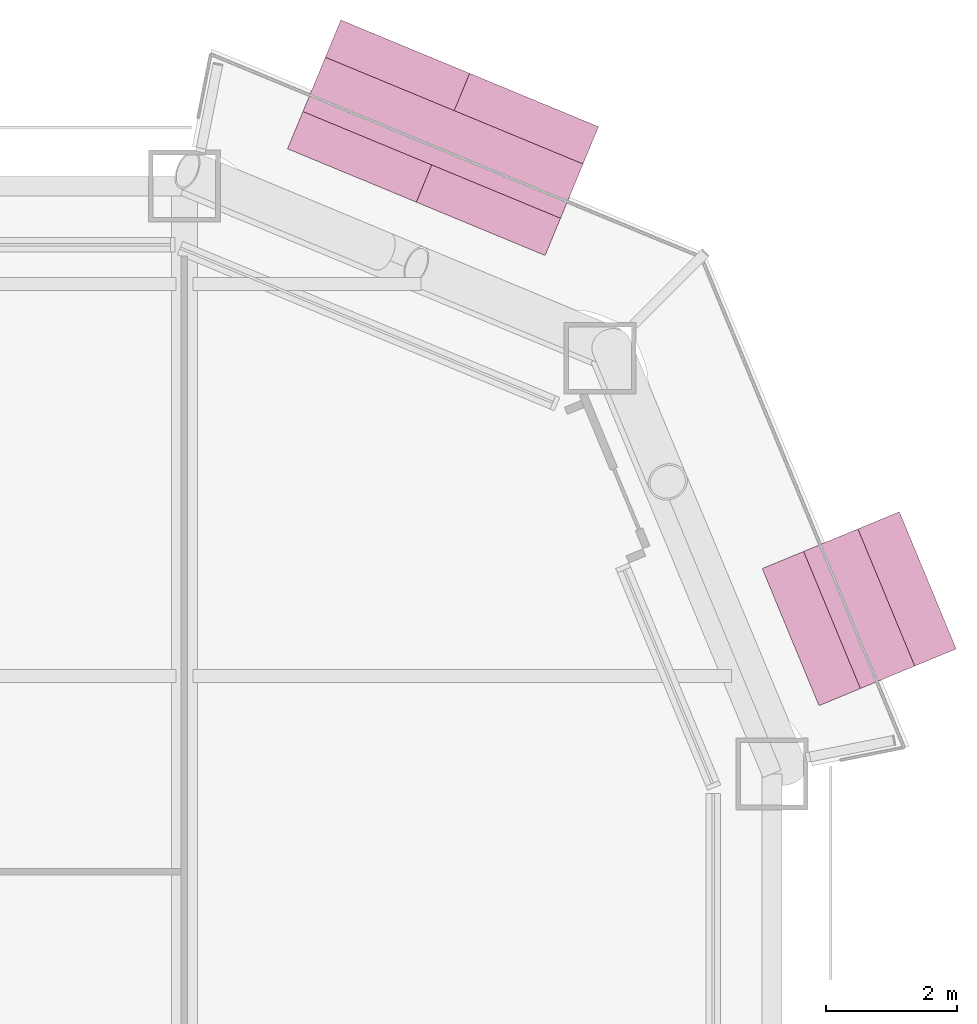
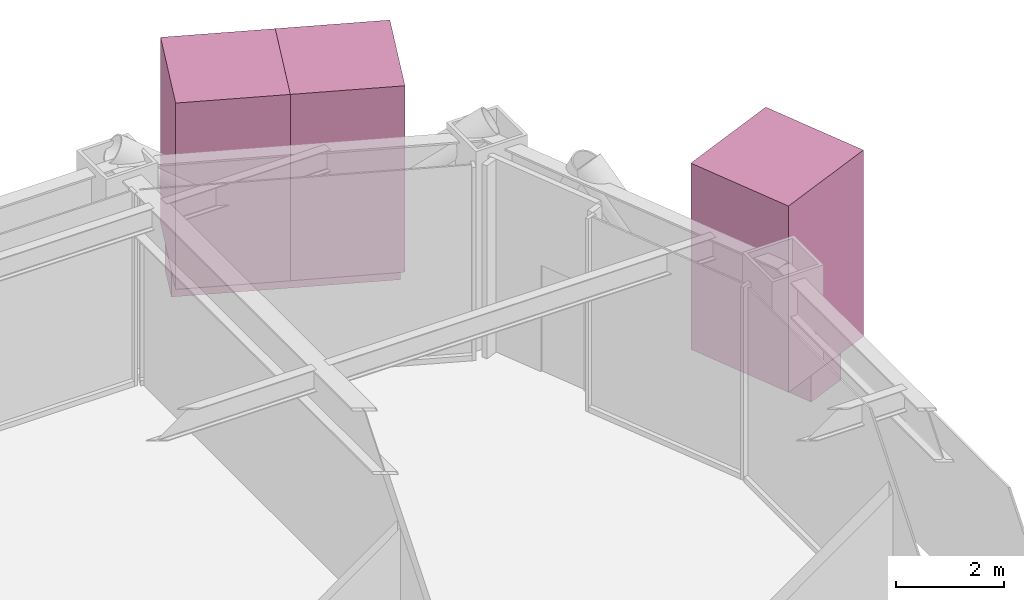
# One storey, part 30 of 30: 5 furnishings.
"""IFC4 building model written with IfcOpenShell, lengths in metres."""

from ifc_helpers import new_model, si_unit, direction, frame, origin, origin_2d, place, context, subcontext, project, spatial, rectangle, extrude, material, type_object, element, save


model = new_model("IFC4")

# Units and contexts
model_context = context("Model", 3, precision=1e-05, world=origin(), true_north=direction((0.0, 1.0)))
body_context = subcontext(model_context, "Body", "Model", "MODEL_VIEW")
ifc_project = project(units=[si_unit("LENGTHUNIT", "METRE"), si_unit("AREAUNIT", "SQUARE_METRE"), si_unit("VOLUMEUNIT", "CUBIC_METRE"), si_unit("PLANEANGLEUNIT", "RADIAN"), si_unit("MASSUNIT", "GRAM", prefix="KILO")], contexts=[model_context])

# Site, building, storey
site_placement = place(None, origin())
site = spatial("IfcSite", under=ifc_project, at=site_placement, CompositionType="ELEMENT")
building_placement = place(site_placement, origin())
building = spatial("IfcBuilding", under=site, at=building_placement, Name="Siwar Civic Tower", CompositionType="ELEMENT")
storey_placement = place(building_placement, frame((0.0, 0.0, 44.699951171875)))
storey = spatial("IfcBuildingStorey", under=building, at=storey_placement, Name="L09", CompositionType="ELEMENT", Elevation=44.699951171875)

# Furnishings
ifc_material_1 = material(Name="Planting soil and foliage")
furnishing_element_type_1 = type_object("IfcFurnishingElementType", Name="ENV-PLANTER", material=ifc_material_1)
furnishing_1_placement = place(storey_placement, frame((32.833984375, 25.0283203125, 0.0), z_axis=(0.0, 0.0, 1.0), x_axis=(-0.382683432365, 0.923879532511, 0.0)))
element("IfcFurnishingElement", 1, at=furnishing_1_placement, inside=storey, type_object=furnishing_element_type_1, Name="PLANTER NE 1", context=body_context, shape_type="SweptSolid", body=[
    extrude(rectangle(XDim=2.273193359375, YDim=0.89990234375, at=origin_2d()), origin(), (0.0, 0.0, 1.0), 0.60009765625),
])
furnishing_2_placement = place(storey_placement, frame((26.460205078125, 32.240966796875, 0.0), z_axis=(0.0, 0.0, 1.0), x_axis=(-0.923879532511, 0.382683432365, 0.0)))
element("IfcFurnishingElement", 2, at=furnishing_2_placement, inside=storey, type_object=furnishing_element_type_1, Name="PLANTER NE 2", context=body_context, shape_type="SweptSolid", body=[
    extrude(rectangle(XDim=4.270751953125, YDim=0.89990234375, at=origin_2d()), origin(), (0.0, 0.0, 1.0), 0.60009765625),
])
ifc_material_2 = material(Name="Planting soil and foliage")
furnishing_element_type_2 = type_object("IfcFurnishingElementType", Name="ENV-TREE", material=ifc_material_2)
furnishing_3_placement = place(storey_placement, frame((32.833984375, 25.0283203125, 0.60009765625), z_axis=(0.0, 0.0, 1.0), x_axis=(-0.382683432365, 0.923879532511, 0.0)))
element("IfcFurnishingElement", 3, at=furnishing_3_placement, inside=storey, type_object=furnishing_element_type_2, Name="PLANTER (TREE) NE 1.1", context=body_context, shape_type="SweptSolid", body=[
    extrude(rectangle(XDim=2.273193359375, YDim=2.273193359375, at=origin_2d()), origin(), (0.0, 0.0, 1.0), 4.199951171875),
])
for number, where, z_axis, x_axis, name in (
    (4, (27.44677734375, 31.832275390625, 0.60009765625), (0.0, 0.0, 1.0), (-0.923879532511, 0.382683432365, 0.0), "PLANTER (TREE) NE 2.1"),
    (5, (25.473876953125, 32.6494140625, 0.60009765625), (0.0, 0.0, 1.0), (-0.923879532511, 0.382683432365, 0.0), "PLANTER (TREE) NE 2.2"),
):
    element("IfcFurnishingElement", number, at=place(storey_placement, frame(where, z_axis=z_axis, x_axis=x_axis)), inside=storey, type_object=furnishing_element_type_2, Name=name, context=body_context, shape_type="SweptSolid", body=[
        extrude(rectangle(XDim=2.13525390625, YDim=2.13525390625, at=origin_2d()), origin(), (0.0, 0.0, 1.0), 4.199951171875),
    ])

save(model, "model.ifc")
